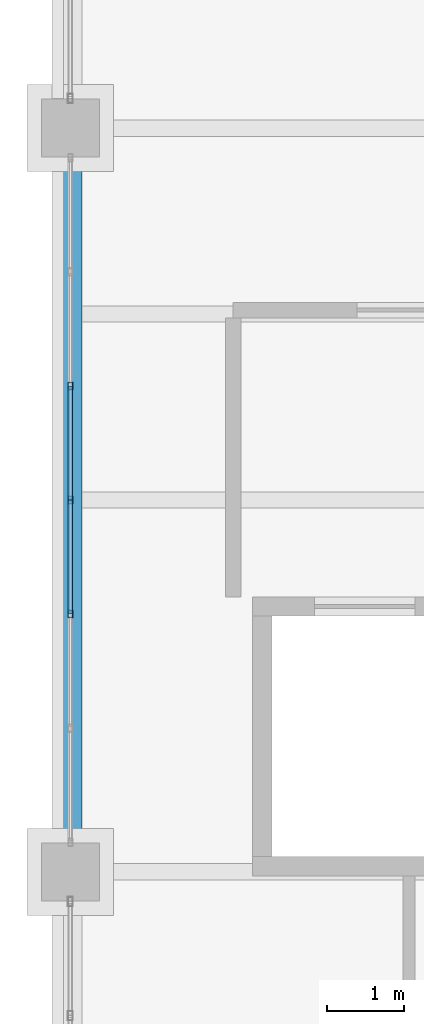
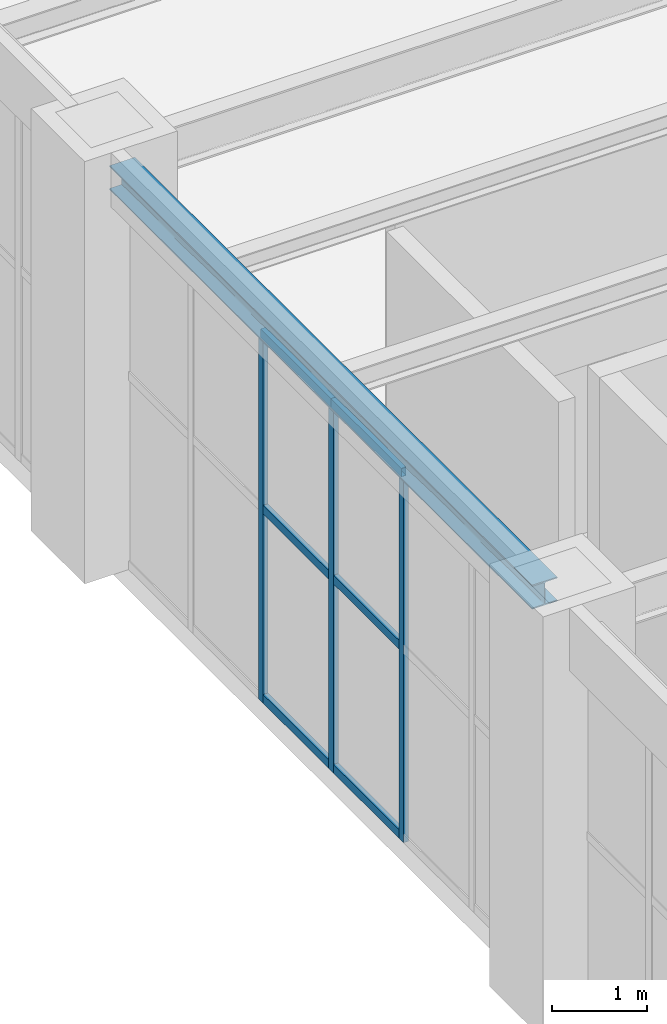
# One storey, part 69 of 164: 9 members, 1 beam, 1 element without a shape of its own.
"""IFC4 building model written with IfcOpenShell, lengths in metres."""

from ifc_helpers import new_model, si_unit, direction, frame, origin, origin_2d, place, context, subcontext, project, spatial, hollow_rectangle, i_section, extrude, material, material_profile, profile_set, type_object, element, aggregate, save


model = new_model("IFC4")

# Units and contexts
model_context = context("Model", 3, precision=1e-05, world=origin(), true_north=direction((0.0, 1.0)))
body_context = subcontext(model_context, "Body", "Model", "MODEL_VIEW")
ifc_project = project(units=[si_unit("LENGTHUNIT", "METRE"), si_unit("AREAUNIT", "SQUARE_METRE"), si_unit("VOLUMEUNIT", "CUBIC_METRE"), si_unit("PLANEANGLEUNIT", "RADIAN"), si_unit("MASSUNIT", "GRAM", prefix="KILO")], contexts=[model_context])

# Site, building, storey
site_placement = place(None, origin())
site = spatial("IfcSite", under=ifc_project, at=site_placement, CompositionType="ELEMENT")
building_placement = place(site_placement, origin())
building = spatial("IfcBuilding", under=site, at=building_placement, Name="Mavantir Sound Aquarium", CompositionType="ELEMENT")
storey_placement = place(building_placement, origin())
storey = spatial("IfcBuildingStorey", under=building, at=storey_placement, Name="L00", CompositionType="ELEMENT", Elevation=0.0)

# Beam
ifc_material_1 = material(Name="Structural Steel ASTM A992 Gr50", Category="steel")
ifc_material_profile_1 = material_profile(ifc_material_1, i_section(OverallWidth=0.304931640625, OverallDepth=0.30810546875, WebThickness=0.010009765625, FlangeThickness=0.015380859375, FilletRadius=0.014892578125, at=origin_2d()), Name="W310X97")
ifc_profile_set_1 = profile_set([ifc_material_profile_1], Name="Structural Steel ASTM A992 Gr50")
beam_type = type_object("IfcBeamType", Name="BM-W310X97-E", PredefinedType="SPANDREL", material=ifc_profile_set_1)
beam_placement = place(storey_placement, frame((0.0, 93.574951171875, 4.94189453125), z_axis=(0.0, 1.0, 0.0), x_axis=(-1.0, 0.0, 0.0)))
element("IfcBeam", 1, at=beam_placement, inside=storey, type_object=beam_type, Name="L00 primary girder SS-31A 1051", PredefinedType="SPANDREL", context=body_context, shape_type="SweptSolid", body=[
    extrude(i_section(OverallWidth=0.304931640625, OverallDepth=0.30810546875, WebThickness=0.010009765625, FlangeThickness=0.015380859375, FilletRadius=0.014892578125, at=origin_2d()), origin(), (0.0, 0.0, 1.0), 8.85009765625),
])

# Curtain wall, members
ifc_material_2 = material(Name="Anodised Marine Aluminium and Low-E Glass", Category="aluminium")
curtain_wall_type = type_object("IfcCurtainWallType", Name="CW-T21", PredefinedType="USERDEFINED", material=ifc_material_2)
curtain_wall_placement = place(storey_placement, origin())
curtain_wall = element("IfcCurtainWall", 2, at=curtain_wall_placement, inside=storey, type_object=curtain_wall_type, Name="L00 unitised curtain wall CW-21 45", ObjectType="UNITISED GLAZING", PredefinedType="USERDEFINED")
ifc_material_3 = material(Name="Anodised Marine Aluminium 6063-T6", Category="aluminium")
ifc_material_profile_2 = material_profile(ifc_material_3, hollow_rectangle(XDim=0.06005859375, YDim=0.10009765625, WallThickness=0.00390625, at=origin_2d()), Name="ALU-MULLION-100X60")
ifc_profile_set_2 = profile_set([ifc_material_profile_2], Name="Anodised Marine Aluminium 6063-T6")
member_type_1 = type_object("IfcMemberType", Name="CW-MUL-100", PredefinedType="MULLION", material=ifc_profile_set_2)
member_1_placement = place(storey_placement, frame((0.0, 99.472412109375, 0.0), z_axis=(0.0, 0.0, 1.0), x_axis=(1.0, 0.0, 0.0)))
member_1 = element("IfcMember", 3, at=member_1_placement, type_object=member_type_1, Name="CW-L00-045 vertical mullion 3", PredefinedType="MULLION", context=body_context, shape_type="SweptSolid", body=[
    extrude(hollow_rectangle(XDim=0.06005859375, YDim=0.10009765625, WallThickness=0.00390625, at=origin_2d()), origin(), (0.0, 0.0, 1.0), 4.756103515625),
])
member_2_placement = place(storey_placement, frame((0.0, 98.0, 0.0), z_axis=(0.0, 0.0, 1.0), x_axis=(1.0, 0.0, 0.0)))
member_2 = element("IfcMember", 4, at=member_2_placement, type_object=member_type_1, Name="CW-L00-045 vertical mullion 4", PredefinedType="MULLION", context=body_context, shape_type="SweptSolid", body=[
    extrude(hollow_rectangle(XDim=0.06005859375, YDim=0.10009765625, WallThickness=0.00390625, at=origin_2d()), origin(), (0.0, 0.0, 1.0), 4.756103515625),
])
member_3_placement = place(storey_placement, frame((0.0, 96.527587890625, 0.0), z_axis=(0.0, 0.0, 1.0), x_axis=(1.0, 0.0, 0.0)))
member_3 = element("IfcMember", 5, at=member_3_placement, type_object=member_type_1, Name="CW-L00-045 vertical mullion 5", PredefinedType="MULLION", context=body_context, shape_type="SweptSolid", body=[
    extrude(hollow_rectangle(XDim=0.06005859375, YDim=0.10009765625, WallThickness=0.00390625, at=origin_2d()), origin(), (0.0, 0.0, 1.0), 4.756103515625),
])
ifc_material_profile_3 = material_profile(ifc_material_3, hollow_rectangle(XDim=0.06005859375, YDim=0.110107421875, WallThickness=0.00390625, at=origin_2d()), Name="ALU-TRANSOM-110X60")
ifc_profile_set_3 = profile_set([ifc_material_profile_3], Name="Anodised Marine Aluminium 6063-T6")
member_type_2 = type_object("IfcMemberType", Name="CW-TRN-110", PredefinedType="USERDEFINED", material=ifc_profile_set_3)
member_4_placement = place(storey_placement, frame((0.0, 99.472412109375, 0.054931640625), z_axis=(0.0, -1.0, 0.0), x_axis=(1.0, 0.0, 0.0)))
member_4 = element("IfcMember", 6, at=member_4_placement, type_object=member_type_2, Name="CW-L00-045 transom 3.1", ObjectType="TRANSOM", PredefinedType="USERDEFINED", context=body_context, shape_type="SweptSolid", body=[
    extrude(hollow_rectangle(XDim=0.06005859375, YDim=0.110107421875, WallThickness=0.00390625, at=origin_2d()), origin(), (0.0, 0.0, 1.0), 1.472412109375),
])
member_5_placement = place(storey_placement, frame((0.0, 99.472412109375, 2.47314453125), z_axis=(0.0, -1.0, 0.0), x_axis=(1.0, 0.0, 0.0)))
member_5 = element("IfcMember", 7, at=member_5_placement, type_object=member_type_2, Name="CW-L00-045 transom 3.2", ObjectType="TRANSOM", PredefinedType="USERDEFINED", context=body_context, shape_type="SweptSolid", body=[
    extrude(hollow_rectangle(XDim=0.06005859375, YDim=0.110107421875, WallThickness=0.00390625, at=origin_2d()), origin(), (0.0, 0.0, 1.0), 1.472412109375),
])
member_6_placement = place(storey_placement, frame((0.0, 99.472412109375, 4.700927734375), z_axis=(0.0, -1.0, 0.0), x_axis=(1.0, 0.0, 0.0)))
member_6 = element("IfcMember", 8, at=member_6_placement, type_object=member_type_2, Name="CW-L00-045 transom 3.3", ObjectType="TRANSOM", PredefinedType="USERDEFINED", context=body_context, shape_type="SweptSolid", body=[
    extrude(hollow_rectangle(XDim=0.06005859375, YDim=0.110107421875, WallThickness=0.00390625, at=origin_2d()), origin(), (0.0, 0.0, 1.0), 1.472412109375),
])
member_7_placement = place(storey_placement, frame((0.0, 98.0, 0.054931640625), z_axis=(0.0, -1.0, 0.0), x_axis=(1.0, 0.0, 0.0)))
member_7 = element("IfcMember", 9, at=member_7_placement, type_object=member_type_2, Name="CW-L00-045 transom 4.1", ObjectType="TRANSOM", PredefinedType="USERDEFINED", context=body_context, shape_type="SweptSolid", body=[
    extrude(hollow_rectangle(XDim=0.06005859375, YDim=0.110107421875, WallThickness=0.00390625, at=origin_2d()), origin(), (0.0, 0.0, 1.0), 1.472412109375),
])
member_8_placement = place(storey_placement, frame((0.0, 98.0, 2.47314453125), z_axis=(0.0, -1.0, 0.0), x_axis=(1.0, 0.0, 0.0)))
member_8 = element("IfcMember", 10, at=member_8_placement, type_object=member_type_2, Name="CW-L00-045 transom 4.2", ObjectType="TRANSOM", PredefinedType="USERDEFINED", context=body_context, shape_type="SweptSolid", body=[
    extrude(hollow_rectangle(XDim=0.06005859375, YDim=0.110107421875, WallThickness=0.00390625, at=origin_2d()), origin(), (0.0, 0.0, 1.0), 1.472412109375),
])
member_9_placement = place(storey_placement, frame((0.0, 98.0, 4.700927734375), z_axis=(0.0, -1.0, 0.0), x_axis=(1.0, 0.0, 0.0)))
member_9 = element("IfcMember", 11, at=member_9_placement, type_object=member_type_2, Name="CW-L00-045 transom 4.3", ObjectType="TRANSOM", PredefinedType="USERDEFINED", context=body_context, shape_type="SweptSolid", body=[
    extrude(hollow_rectangle(XDim=0.06005859375, YDim=0.110107421875, WallThickness=0.00390625, at=origin_2d()), origin(), (0.0, 0.0, 1.0), 1.472412109375),
])
aggregate(curtain_wall, [member_1, member_2, member_3, member_4, member_5, member_6, member_7, member_8, member_9])

save(model, "model.ifc")
